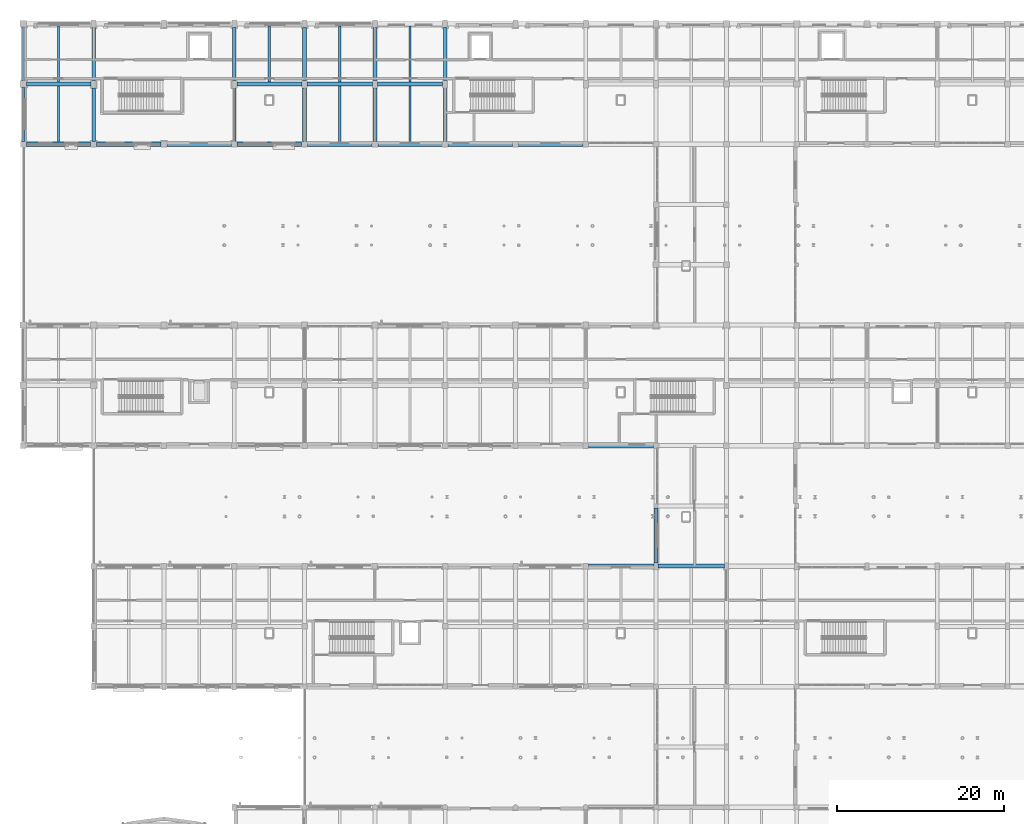
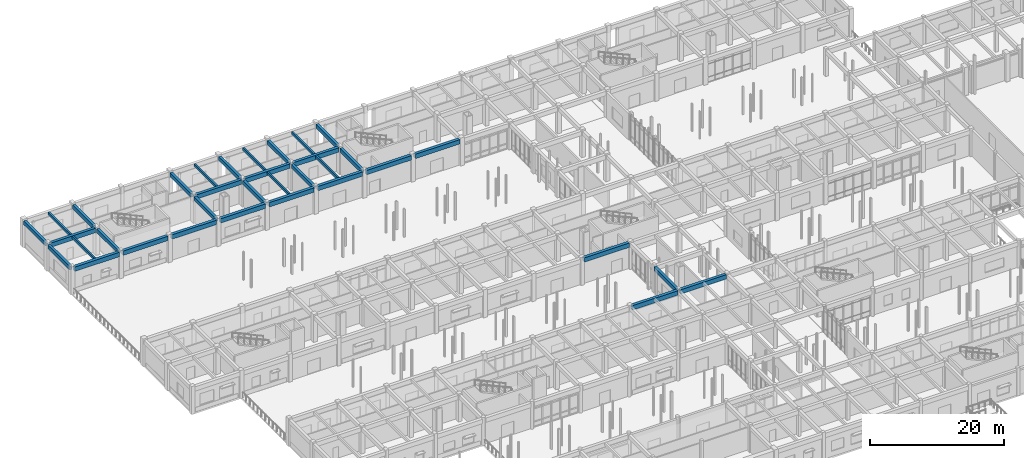
# One storey, part 48 of 121: 35 beams.
"""IFC4 building model written with IfcOpenShell, lengths in metres."""

from ifc_helpers import new_model, si_unit, direction, frame, origin, origin_2d, place, context, subcontext, project, spatial, rectangle, extrude, material, material_profile, profile_set, type_object, element, save


model = new_model("IFC4")

# Units and contexts
model_context = context("Model", 3, precision=1e-05, world=origin(), true_north=direction((0.0, 1.0)))
body_context = subcontext(model_context, "Body", "Model", "MODEL_VIEW")
ifc_project = project(units=[si_unit("LENGTHUNIT", "METRE"), si_unit("AREAUNIT", "SQUARE_METRE"), si_unit("VOLUMEUNIT", "CUBIC_METRE"), si_unit("PLANEANGLEUNIT", "RADIAN"), si_unit("MASSUNIT", "GRAM", prefix="KILO")], contexts=[model_context])

# Site, building, storey
site_placement = place(None, origin())
site = spatial("IfcSite", under=ifc_project, at=site_placement, CompositionType="ELEMENT")
building_placement = place(site_placement, origin())
building = spatial("IfcBuilding", under=site, at=building_placement, Name="Malvenik Polytechnic", CompositionType="ELEMENT")
storey_placement = place(building_placement, origin())
storey = spatial("IfcBuildingStorey", under=building, at=storey_placement, Name="L00", CompositionType="ELEMENT", Elevation=0.0)

# Beams
ifc_material_1 = material(Name="Concrete C35/45", Category="concrete")
ifc_material_profile_1 = material_profile(ifc_material_1, rectangle(XDim=0.5, YDim=0.800048828125, at=origin_2d()), Name="RC BM 500x800")
ifc_profile_set_1 = profile_set([ifc_material_profile_1], Name="Concrete C35/45")
beam_type_1 = type_object("IfcBeamType", Name="STR-BM-B-02", PredefinedType="BEAM", material=ifc_profile_set_1)
beam_1_placement = place(storey_placement, frame((75.847900390625, 64.800048828125, 4.419921875), z_axis=(1.0, 0.0, 0.0), x_axis=(0.0, 1.0, 0.0)))
element("IfcBeam", 1, at=beam_1_placement, inside=storey, type_object=beam_type_1, Name="Primary Beam B-02 L00 #604", PredefinedType="BEAM", context=body_context, shape_type="SweptSolid", body=[
    extrude(rectangle(XDim=0.5, YDim=0.800048828125, at=origin_2d()), origin(), (0.0, 0.0, 1.0), 7.904052734375),
])
beam_2_placement = place(storey_placement, frame((0.39794921875, 122.39990234375, 4.419921875), z_axis=(1.0, 0.0, 0.0), x_axis=(0.0, 1.0, 0.0)))
element("IfcBeam", 2, at=beam_2_placement, inside=storey, type_object=beam_type_1, Name="Primary Beam B-02 L00 #688", PredefinedType="BEAM", context=body_context, shape_type="SweptSolid", body=[
    extrude(rectangle(XDim=0.5, YDim=0.800048828125, at=origin_2d()), origin(), (0.0, 0.0, 1.0), 7.7041015625),
])
for number, where, z_axis, x_axis, name in (
    (3, (25.498046875, 122.39990234375, 4.419921875), (1.0, 0.0, 0.0), (0.0, 1.0, 0.0), "Primary Beam B-02 L00 #689"),
    (4, (33.89794921875, 122.39990234375, 4.419921875), (1.0, 0.0, 0.0), (0.0, 1.0, 0.0), "Primary Beam B-02 L00 #690"),
    (5, (42.298095703125, 122.39990234375, 4.419921875), (1.0, 0.0, 0.0), (0.0, 1.0, 0.0), "Primary Beam B-02 L00 #691"),
):
    element("IfcBeam", number, at=place(storey_placement, frame(where, z_axis=z_axis, x_axis=x_axis)), inside=storey, type_object=beam_type_1, Name=name, PredefinedType="BEAM", context=body_context, shape_type="SweptSolid", body=[
        extrude(rectangle(XDim=0.5, YDim=0.800048828125, at=origin_2d()), origin(), (0.0, 0.0, 1.0), 7.803955078125),
    ])
ifc_material_profile_2 = material_profile(ifc_material_1, rectangle(XDim=0.449951171875, YDim=0.699951171875, at=origin_2d()), Name="RC BM 450x700")
ifc_profile_set_2 = profile_set([ifc_material_profile_2], Name="Concrete C35/45")
beam_type_2 = type_object("IfcBeamType", Name="STR-BM-B-04", PredefinedType="BEAM", material=ifc_profile_set_2)
beam_3_placement = place(storey_placement, frame((0.0, 115.548095703125, 4.469970703125), z_axis=(0.0, 1.0, 0.0), x_axis=(-1.0, 0.0, 0.0)))
element("IfcBeam", 6, at=beam_3_placement, inside=storey, type_object=beam_type_2, Name="Transverse Beam B-04 L00 #716", PredefinedType="BEAM", context=body_context, shape_type="SweptSolid", body=[
    extrude(rectangle(XDim=0.449951171875, YDim=0.699951171875, at=origin_2d()), origin(), (0.0, 0.0, 1.0), 6.453857421875),
])
for number, where, z_axis, x_axis, name in (
    (7, (0.0, 122.798095703125, 4.469970703125), (0.0, 1.0, 0.0), (-1.0, 0.0, 0.0), "Transverse Beam B-04 L00 #717"),
    (8, (8.39990234375, 115.548095703125, 4.469970703125), (0.0, 1.0, 0.0), (-1.0, 0.0, 0.0), "Transverse Beam B-04 L00 #722"),
):
    element("IfcBeam", number, at=place(storey_placement, frame(where, z_axis=z_axis, x_axis=x_axis)), inside=storey, type_object=beam_type_2, Name=name, PredefinedType="BEAM", context=body_context, shape_type="SweptSolid", body=[
        extrude(rectangle(XDim=0.449951171875, YDim=0.699951171875, at=origin_2d()), origin(), (0.0, 0.0, 1.0), 6.40380859375),
    ])
beam_4_placement = place(storey_placement, frame((8.39990234375, 122.847900390625, 4.469970703125), z_axis=(0.0, 1.0, 0.0), x_axis=(-1.0, 0.0, 0.0)))
element("IfcBeam", 9, at=beam_4_placement, inside=storey, type_object=beam_type_2, Name="Transverse Beam B-04 L00 #723", PredefinedType="BEAM", context=body_context, shape_type="SweptSolid", body=[
    extrude(rectangle(XDim=0.449951171875, YDim=0.699951171875, at=origin_2d()), origin(), (0.0, 0.0, 1.0), 6.30419921875),
])
beam_5_placement = place(storey_placement, frame((25.199951171875, 115.548095703125, 4.469970703125), z_axis=(0.0, 1.0, 0.0), x_axis=(-1.0, 0.0, 0.0)))
element("IfcBeam", 10, at=beam_5_placement, inside=storey, type_object=beam_type_2, Name="Transverse Beam B-04 L00 #730", PredefinedType="BEAM", context=body_context, shape_type="SweptSolid", body=[
    extrude(rectangle(XDim=0.449951171875, YDim=0.699951171875, at=origin_2d()), origin(), (0.0, 0.0, 1.0), 6.40380859375),
])
beam_6_placement = place(storey_placement, frame((25.199951171875, 122.847900390625, 4.469970703125), z_axis=(0.0, 1.0, 0.0), x_axis=(-1.0, 0.0, 0.0)))
element("IfcBeam", 11, at=beam_6_placement, inside=storey, type_object=beam_type_2, Name="Transverse Beam B-04 L00 #731", PredefinedType="BEAM", context=body_context, shape_type="SweptSolid", body=[
    extrude(rectangle(XDim=0.449951171875, YDim=0.699951171875, at=origin_2d()), origin(), (0.0, 0.0, 1.0), 6.30419921875),
])
beam_7_placement = place(storey_placement, frame((33.60009765625, 115.548095703125, 4.469970703125), z_axis=(0.0, 1.0, 0.0), x_axis=(-1.0, 0.0, 0.0)))
element("IfcBeam", 12, at=beam_7_placement, inside=storey, type_object=beam_type_2, Name="Transverse Beam B-04 L00 #738", PredefinedType="BEAM", context=body_context, shape_type="SweptSolid", body=[
    extrude(rectangle(XDim=0.449951171875, YDim=0.699951171875, at=origin_2d()), origin(), (0.0, 0.0, 1.0), 6.40380859375),
])
beam_8_placement = place(storey_placement, frame((33.60009765625, 122.847900390625, 4.469970703125), z_axis=(0.0, 1.0, 0.0), x_axis=(-1.0, 0.0, 0.0)))
element("IfcBeam", 13, at=beam_8_placement, inside=storey, type_object=beam_type_2, Name="Transverse Beam B-04 L00 #739", PredefinedType="BEAM", context=body_context, shape_type="SweptSolid", body=[
    extrude(rectangle(XDim=0.449951171875, YDim=0.699951171875, at=origin_2d()), origin(), (0.0, 0.0, 1.0), 6.30419921875),
])
beam_9_placement = place(storey_placement, frame((42.0, 115.548095703125, 4.469970703125), z_axis=(0.0, 1.0, 0.0), x_axis=(-1.0, 0.0, 0.0)))
element("IfcBeam", 14, at=beam_9_placement, inside=storey, type_object=beam_type_2, Name="Transverse Beam B-04 L00 #744", PredefinedType="BEAM", context=body_context, shape_type="SweptSolid", body=[
    extrude(rectangle(XDim=0.449951171875, YDim=0.699951171875, at=origin_2d()), origin(), (0.0, 0.0, 1.0), 6.40380859375),
])
beam_10_placement = place(storey_placement, frame((42.0, 122.847900390625, 4.469970703125), z_axis=(0.0, 1.0, 0.0), x_axis=(-1.0, 0.0, 0.0)))
element("IfcBeam", 15, at=beam_10_placement, inside=storey, type_object=beam_type_2, Name="Transverse Beam B-04 L00 #745", PredefinedType="BEAM", context=body_context, shape_type="SweptSolid", body=[
    extrude(rectangle(XDim=0.449951171875, YDim=0.699951171875, at=origin_2d()), origin(), (0.0, 0.0, 1.0), 6.30419921875),
])
beam_11_placement = place(storey_placement, frame((50.39990234375, 115.548095703125, 4.469970703125), z_axis=(0.0, 1.0, 0.0), x_axis=(-1.0, 0.0, 0.0)))
element("IfcBeam", 16, at=beam_11_placement, inside=storey, type_object=beam_type_2, Name="Transverse Beam B-04 L00 #752", PredefinedType="BEAM", context=body_context, shape_type="SweptSolid", body=[
    extrude(rectangle(XDim=0.449951171875, YDim=0.699951171875, at=origin_2d()), origin(), (0.0, 0.0, 1.0), 6.40380859375),
])
beam_12_placement = place(storey_placement, frame((50.39990234375, 122.847900390625, 4.469970703125), z_axis=(0.0, 1.0, 0.0), x_axis=(-1.0, 0.0, 0.0)))
element("IfcBeam", 17, at=beam_12_placement, inside=storey, type_object=beam_type_2, Name="Transverse Beam B-04 L00 #753", PredefinedType="BEAM", context=body_context, shape_type="SweptSolid", body=[
    extrude(rectangle(XDim=0.449951171875, YDim=0.699951171875, at=origin_2d()), origin(), (0.0, 0.0, 1.0), 6.30419921875),
])
beam_13_placement = place(storey_placement, frame((75.60009765625, 65.173095703125, 4.469970703125), z_axis=(0.0, 1.0, 0.0), x_axis=(-1.0, 0.0, 0.0)))
element("IfcBeam", 18, at=beam_13_placement, inside=storey, type_object=beam_type_2, Name="Transverse Beam B-04 L00 #772", PredefinedType="BEAM", context=body_context, shape_type="SweptSolid", body=[
    extrude(rectangle(XDim=0.449951171875, YDim=0.699951171875, at=origin_2d()), origin(), (0.0, 0.0, 1.0), 6.578857421875),
])
ifc_material_2 = material(Name="Concrete C30/37", Category="concrete")
ifc_material_profile_3 = material_profile(ifc_material_2, rectangle(XDim=0.280029296875, YDim=0.47998046875, at=origin_2d()), Name="RC JST 280x480")
ifc_profile_set_3 = profile_set([ifc_material_profile_3], Name="Concrete C30/37")
beam_type_3 = type_object("IfcBeamType", Name="STR-BM-J-01", PredefinedType="JOIST", material=ifc_profile_set_3)
for number, where, z_axis, x_axis, name in (
    (19, (4.199951171875, 115.4580078125, 4.580078125), (0.0, 1.0, 0.0), (-1.0, 0.0, 0.0), "Secondary Rib Joist J-01 L00 #867"),
    (20, (4.199951171875, 122.64794921875, 4.580078125), (0.0, 1.0, 0.0), (-1.0, 0.0, 0.0), "Secondary Rib Joist J-01 L00 #868"),
    (21, (29.39990234375, 122.64794921875, 4.580078125), (0.0, 1.0, 0.0), (-1.0, 0.0, 0.0), "Secondary Rib Joist J-01 L00 #875"),
    (22, (37.800048828125, 115.4580078125, 4.580078125), (0.0, 1.0, 0.0), (-1.0, 0.0, 0.0), "Secondary Rib Joist J-01 L00 #880"),
    (23, (37.800048828125, 122.64794921875, 4.580078125), (0.0, 1.0, 0.0), (-1.0, 0.0, 0.0), "Secondary Rib Joist J-01 L00 #881"),
    (24, (46.199951171875, 115.4580078125, 4.580078125), (0.0, 1.0, 0.0), (-1.0, 0.0, 0.0), "Secondary Rib Joist J-01 L00 #885"),
    (25, (46.199951171875, 122.64794921875, 4.580078125), (0.0, 1.0, 0.0), (-1.0, 0.0, 0.0), "Secondary Rib Joist J-01 L00 #886"),
):
    element("IfcBeam", number, at=place(storey_placement, frame(where, z_axis=z_axis, x_axis=x_axis)), inside=storey, type_object=beam_type_3, Name=name, PredefinedType="JOIST", context=body_context, shape_type="SweptSolid", body=[
        extrude(rectangle(XDim=0.280029296875, YDim=0.47998046875, at=origin_2d()), origin(), (0.0, 0.0, 1.0), 6.694091796875),
    ])
ifc_material_3 = material(Name="Precast concrete C40/50", Category="concrete")
ifc_material_profile_4 = material_profile(ifc_material_3, rectangle(XDim=0.52001953125, YDim=0.800048828125, at=origin_2d()), Name="PC SPN 520x800")
ifc_profile_set_4 = profile_set([ifc_material_profile_4], Name="Precast concrete C40/50")
beam_type_4 = type_object("IfcBeamType", Name="STR-BM-SP-01", PredefinedType="SPANDREL", material=ifc_profile_set_4)
beam_14_placement = place(storey_placement, frame((67.52294921875, 64.800048828125, 4.419921875), z_axis=(1.0, 0.0, 0.0), x_axis=(0.0, 1.0, 0.0)))
element("IfcBeam", 26, at=beam_14_placement, inside=storey, type_object=beam_type_4, Name="Primary Beam SP-01 L00 #603", PredefinedType="SPANDREL", context=body_context, shape_type="SweptSolid", body=[
    extrude(rectangle(XDim=0.52001953125, YDim=0.800048828125, at=origin_2d()), origin(), (0.0, 0.0, 1.0), 7.8291015625),
])
beam_15_placement = place(storey_placement, frame((67.52294921875, 79.199951171875, 4.419921875), z_axis=(1.0, 0.0, 0.0), x_axis=(0.0, 1.0, 0.0)))
element("IfcBeam", 27, at=beam_15_placement, inside=storey, type_object=beam_type_4, Name="Primary Beam SP-01 L00 #620", PredefinedType="SPANDREL", context=body_context, shape_type="SweptSolid", body=[
    extrude(rectangle(XDim=0.52001953125, YDim=0.800048828125, at=origin_2d()), origin(), (0.0, 0.0, 1.0), 7.754150390625),
])
beam_16_placement = place(storey_placement, frame((0.347900390625, 115.199951171875, 4.419921875), z_axis=(1.0, 0.0, 0.0), x_axis=(0.0, 1.0, 0.0)))
element("IfcBeam", 28, at=beam_16_placement, inside=storey, type_object=beam_type_4, Name="Primary Beam SP-01 L00 #672", PredefinedType="SPANDREL", context=body_context, shape_type="SweptSolid", body=[
    extrude(rectangle(XDim=0.52001953125, YDim=0.800048828125, at=origin_2d()), origin(), (0.0, 0.0, 1.0), 7.7041015625),
])
beam_17_placement = place(storey_placement, frame((8.748046875, 115.199951171875, 4.419921875), z_axis=(1.0, 0.0, 0.0), x_axis=(0.0, 1.0, 0.0)))
element("IfcBeam", 29, at=beam_17_placement, inside=storey, type_object=beam_type_4, Name="Primary Beam SP-01 L00 #673", PredefinedType="SPANDREL", context=body_context, shape_type="SweptSolid", body=[
    extrude(rectangle(XDim=0.52001953125, YDim=0.800048828125, at=origin_2d()), origin(), (0.0, 0.0, 1.0), 7.703857421875),
])
beam_18_placement = place(storey_placement, frame((17.14794921875, 115.199951171875, 4.419921875), z_axis=(1.0, 0.0, 0.0), x_axis=(0.0, 1.0, 0.0)))
element("IfcBeam", 30, at=beam_18_placement, inside=storey, type_object=beam_type_4, Name="Primary Beam SP-01 L00 #674", PredefinedType="SPANDREL", context=body_context, shape_type="SweptSolid", body=[
    extrude(rectangle(XDim=0.52001953125, YDim=0.800048828125, at=origin_2d()), origin(), (0.0, 0.0, 1.0), 7.7041015625),
])
beam_19_placement = place(storey_placement, frame((25.548095703125, 115.199951171875, 4.419921875), z_axis=(1.0, 0.0, 0.0), x_axis=(0.0, 1.0, 0.0)))
element("IfcBeam", 31, at=beam_19_placement, inside=storey, type_object=beam_type_4, Name="Primary Beam SP-01 L00 #675", PredefinedType="SPANDREL", context=body_context, shape_type="SweptSolid", body=[
    extrude(rectangle(XDim=0.52001953125, YDim=0.800048828125, at=origin_2d()), origin(), (0.0, 0.0, 1.0), 7.703857421875),
])
for number, where, z_axis, x_axis, name in (
    (32, (33.947998046875, 115.199951171875, 4.419921875), (1.0, 0.0, 0.0), (0.0, 1.0, 0.0), "Primary Beam SP-01 L00 #676"),
    (33, (42.347900390625, 115.199951171875, 4.419921875), (1.0, 0.0, 0.0), (0.0, 1.0, 0.0), "Primary Beam SP-01 L00 #677"),
):
    element("IfcBeam", number, at=place(storey_placement, frame(where, z_axis=z_axis, x_axis=x_axis)), inside=storey, type_object=beam_type_4, Name=name, PredefinedType="SPANDREL", context=body_context, shape_type="SweptSolid", body=[
        extrude(rectangle(XDim=0.52001953125, YDim=0.800048828125, at=origin_2d()), origin(), (0.0, 0.0, 1.0), 7.7041015625),
    ])
beam_20_placement = place(storey_placement, frame((50.748046875, 115.199951171875, 4.419921875), z_axis=(1.0, 0.0, 0.0), x_axis=(0.0, 1.0, 0.0)))
element("IfcBeam", 34, at=beam_20_placement, inside=storey, type_object=beam_type_4, Name="Primary Beam SP-01 L00 #678", PredefinedType="SPANDREL", context=body_context, shape_type="SweptSolid", body=[
    extrude(rectangle(XDim=0.52001953125, YDim=0.800048828125, at=origin_2d()), origin(), (0.0, 0.0, 1.0), 7.703857421875),
])
beam_21_placement = place(storey_placement, frame((59.14794921875, 115.199951171875, 4.419921875), z_axis=(1.0, 0.0, 0.0), x_axis=(0.0, 1.0, 0.0)))
element("IfcBeam", 35, at=beam_21_placement, inside=storey, type_object=beam_type_4, Name="Primary Beam SP-01 L00 #679", PredefinedType="SPANDREL", context=body_context, shape_type="SweptSolid", body=[
    extrude(rectangle(XDim=0.52001953125, YDim=0.800048828125, at=origin_2d()), origin(), (0.0, 0.0, 1.0), 7.7041015625),
])

save(model, "model.ifc")
